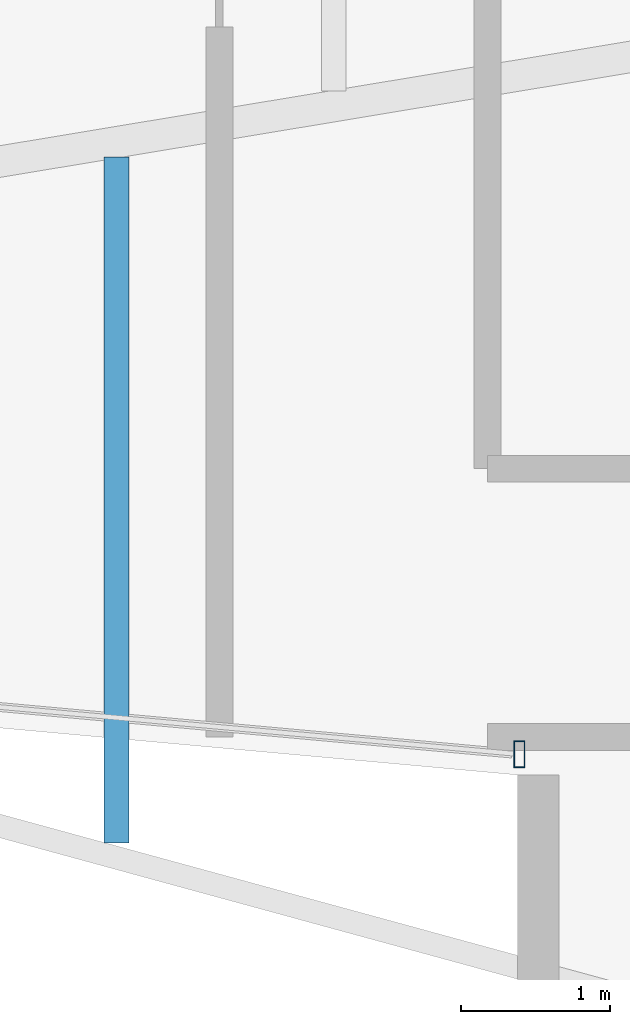
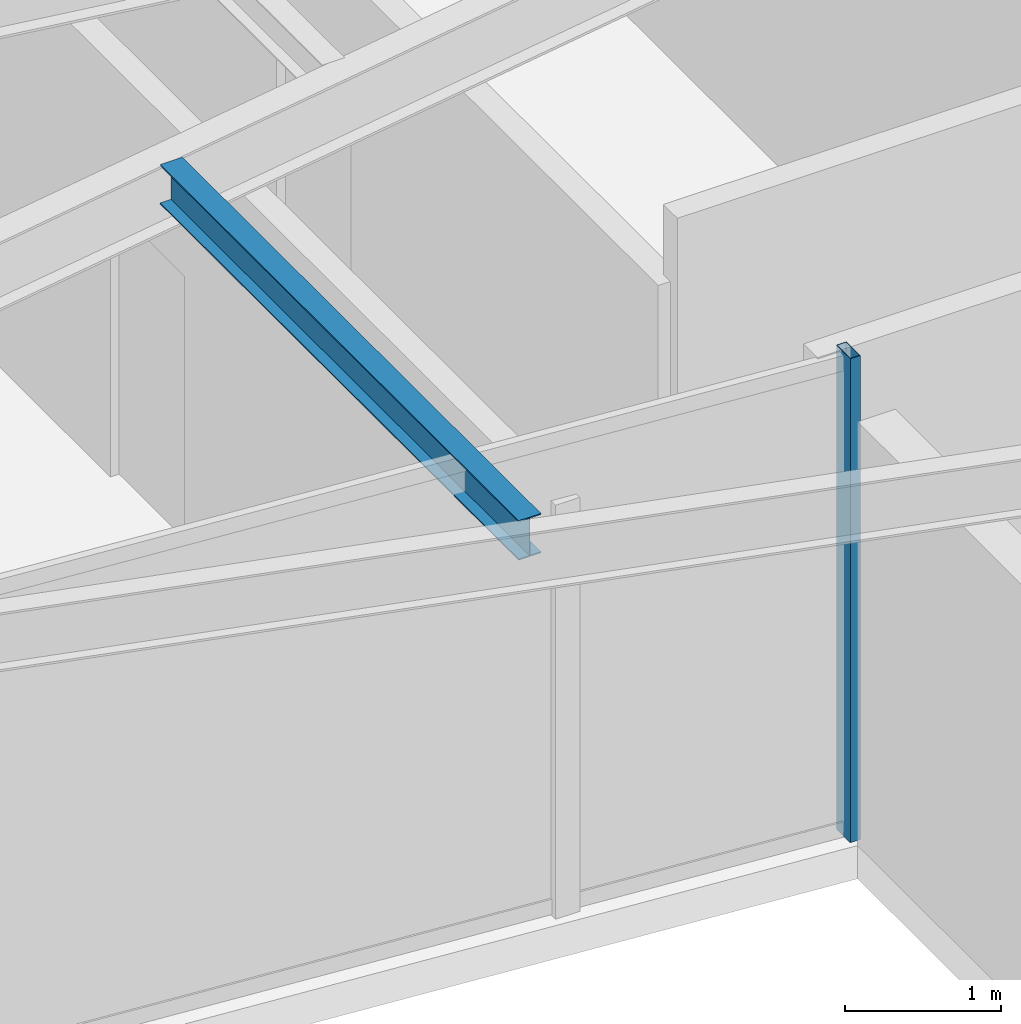
# One storey, part 4 of 23: 1 beam, 1 member, 1 element without a shape of its own.
"""IFC4 building model written with IfcOpenShell, lengths in metres."""

from ifc_helpers import new_model, si_unit, direction, frame, origin, origin_2d, place, context, subcontext, project, spatial, hollow_rectangle, i_section, extrude, material, layer, layer_set, material_profile, profile_set, type_object, element, aggregate, save


model = new_model("IFC4")

# Units and contexts
model_context = context("Model", 3, precision=1e-05, world=origin(), true_north=direction((0.0, 1.0)))
body_context = subcontext(model_context, "Body", "Model", "MODEL_VIEW")
ifc_project = project(units=[si_unit("LENGTHUNIT", "METRE"), si_unit("AREAUNIT", "SQUARE_METRE"), si_unit("VOLUMEUNIT", "CUBIC_METRE"), si_unit("PLANEANGLEUNIT", "RADIAN"), si_unit("MASSUNIT", "GRAM", prefix="KILO")], contexts=[model_context])

# Site, building, storey
site_placement = place(None, origin())
site = spatial("IfcSite", under=ifc_project, at=site_placement, CompositionType="ELEMENT")
building_placement = place(site_placement, origin())
building = spatial("IfcBuilding", under=site, at=building_placement, Name="Veymaron Broadcast Tower", CompositionType="ELEMENT")
storey_placement = place(building_placement, frame((0.0, 0.0, 191.85009765625)))
storey = spatial("IfcBuildingStorey", under=building, at=storey_placement, Name="L44", CompositionType="ELEMENT", Elevation=191.85009765625)

# Beam
ifc_material_1 = material(Name="Structural steel ASTM A992 Gr 50", Category="steel")
ifc_material_profile_1 = material_profile(ifc_material_1, i_section(OverallWidth=0.1650390625, OverallDepth=0.31005859375, WebThickness=0.005859375, FlangeThickness=0.009765625, at=origin_2d()), Name="W310X39")
ifc_profile_set_1 = profile_set([ifc_material_profile_1], Name="Structural steel ASTM A992 Gr 50")
beam_type = type_object("IfcBeamType", Name="BM-JS3", PredefinedType="JOIST", material=ifc_profile_set_1)
beam_placement = place(storey_placement, frame((23.909912109375, 18.090087890625, 3.635009765625), z_axis=(0.0, 1.0, 0.0), x_axis=(-1.0, 0.0, 0.0)))
element("IfcBeam", 1, at=beam_placement, inside=storey, type_object=beam_type, Name="L44 Arm-A secondary joist 2S", PredefinedType="JOIST", context=body_context, shape_type="SweptSolid", body=[
    extrude(i_section(OverallWidth=0.1650390625, OverallDepth=0.31005859375, WebThickness=0.005859375, FlangeThickness=0.009765625, at=origin_2d()), origin(), (0.0, 0.0, 1.0), 4.599853515625),
])

# Curtain wall, member
ifc_material_2 = material(Name="Anodised aluminium AA 6063-T6 and laminated low-E dark glass", Category="aluminium")
ifc_layer = layer(ifc_material_2, 0.179931640625)
ifc_layer_set = layer_set([ifc_layer], Name="Anodised aluminium AA 6063-T6 and laminated low-E dark glass")
curtain_wall_type = type_object("IfcCurtainWallType", Name="CW-SYS-05", PredefinedType="NOTDEFINED", material=ifc_layer_set)
curtain_wall_placement = place(storey_placement, origin())
curtain_wall = element("IfcCurtainWall", 2, at=curtain_wall_placement, inside=storey, type_object=curtain_wall_type, Name="L44 dark-glass curtain wall CW-L44-E14-1", PredefinedType="NOTDEFINED")
ifc_material_3 = material(Name="Anodised aluminium AA 6063-T6", Category="aluminium")
ifc_material_profile_2 = material_profile(ifc_material_3, hollow_rectangle(XDim=0.074951171875, YDim=0.179931640625, WallThickness=0.0048828125, at=origin_2d()), Name="AL180X75X5")
ifc_profile_set_2 = profile_set([ifc_material_profile_2], Name="Anodised aluminium AA 6063-T6")
member_type = type_object("IfcMemberType", Name="CW-MUL-02", PredefinedType="MULLION", material=ifc_profile_set_2)
member_placement = place(storey_placement, frame((26.61279296875, 18.684814453125, 0.0), z_axis=(0.0, 0.0, 1.0), x_axis=(1.0, 0.0, 0.0)))
member = element("IfcMember", 3, at=member_placement, type_object=member_type, Name="CW-L44-E14-1 mullion 2", PredefinedType="MULLION", context=body_context, shape_type="SweptSolid", body=[
    extrude(hollow_rectangle(XDim=0.074951171875, YDim=0.179931640625, WallThickness=0.0048828125, at=origin_2d()), origin(), (0.0, 0.0, 1.0), 3.789794921875),
])
aggregate(curtain_wall, [member])

save(model, "model.ifc")
